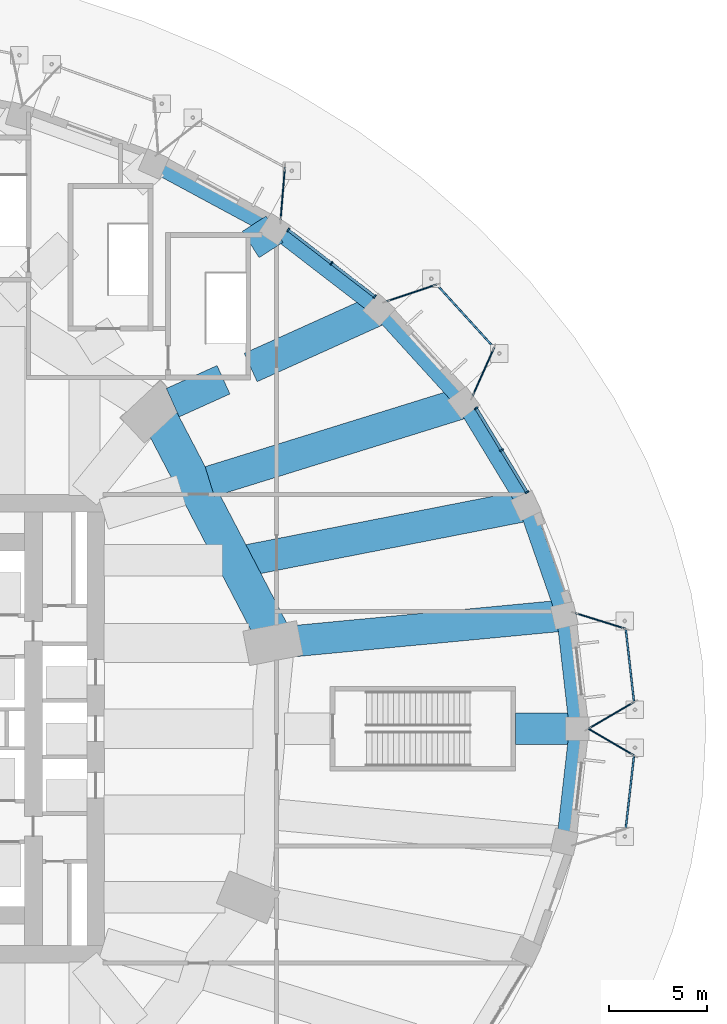
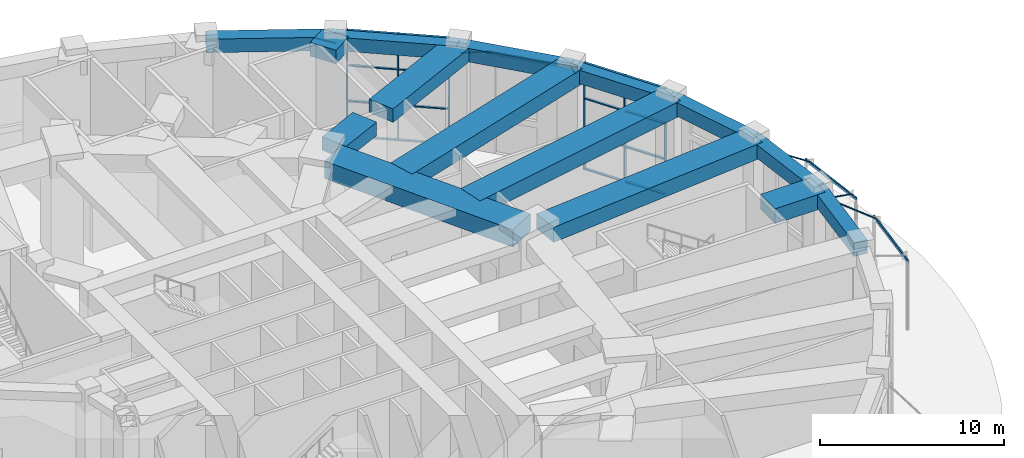
# One storey, part 29 of 60: 28 members, 18 beams, 2 elements without a shape of their own.
"""IFC4 building model written with IfcOpenShell, lengths in metres."""

from ifc_helpers import new_model, si_unit, direction, frame, origin, origin_2d, place, context, subcontext, project, spatial, rectangle, hollow_rectangle, hollow_circle, extrude, material, material_profile, profile_set, type_object, element, aggregate, save


model = new_model("IFC4")

# Units and contexts
model_context = context("Model", 3, precision=1e-05, world=origin(), true_north=direction((0.0, 1.0)))
body_context = subcontext(model_context, "Body", "Model", "MODEL_VIEW")
ifc_project = project(units=[si_unit("LENGTHUNIT", "METRE"), si_unit("AREAUNIT", "SQUARE_METRE"), si_unit("VOLUMEUNIT", "CUBIC_METRE"), si_unit("PLANEANGLEUNIT", "RADIAN"), si_unit("MASSUNIT", "GRAM", prefix="KILO")], contexts=[model_context])

# Site, building, storey
site_placement = place(None, origin())
site = spatial("IfcSite", under=ifc_project, at=site_placement, CompositionType="ELEMENT")
building_placement = place(site_placement, origin())
building = spatial("IfcBuilding", under=site, at=building_placement, Name="Taillehof Tower", CompositionType="ELEMENT")
storey_placement = place(building_placement, origin())
storey = spatial("IfcBuildingStorey", under=building, at=storey_placement, Name="L00", CompositionType="ELEMENT", Elevation=0.0)

# Beams
ifc_material_1 = material(Name="Steel S460M", Category="steel")
ifc_material_profile_1 = material_profile(ifc_material_1, hollow_rectangle(XDim=0.10009765625, YDim=0.199951171875, WallThickness=0.008056640625, InnerFilletRadius=0.008056640625, OuterFilletRadius=0.011962890625, at=origin_2d()), Name="RHS 200x100x8")
ifc_profile_set_1 = profile_set([ifc_material_profile_1], Name="Steel S460M")
beam_type_1 = type_object("IfcBeamType", Name="Canopy edge beam RHS 200x100x8", PredefinedType="BEAM", material=ifc_profile_set_1)
beam_1_placement = place(storey_placement, frame((46.35888671875, 0.94921875, 4.550048828125), z_axis=(-0.112908502001, 0.993605389567, 0.0), x_axis=(-0.993605389567, -0.112908502001, 0.0)))
element("IfcBeam", 1, at=beam_1_placement, inside=storey, type_object=beam_type_1, Name="Canopy edge beam E18", PredefinedType="BEAM", context=body_context, shape_type="SweptSolid", body=[
    extrude(hollow_rectangle(XDim=0.10009765625, YDim=0.199951171875, WallThickness=0.008056640625, InnerFilletRadius=0.008056640625, OuterFilletRadius=0.011962890625, at=origin_2d()), origin(), (0.0, 0.0, 1.0), 4.61865234375),
])
beam_2_placement = place(storey_placement, frame((39.427001953125, 19.205810546875, 4.550048828125), z_axis=(-0.672947641547, 0.739690118723, 0.0), x_axis=(-0.739690118723, -0.672947641547, 0.0)))
element("IfcBeam", 2, at=beam_2_placement, inside=storey, type_object=beam_type_1, Name="Canopy edge beam E14", PredefinedType="BEAM", context=body_context, shape_type="SweptSolid", body=[
    extrude(hollow_rectangle(XDim=0.10009765625, YDim=0.199951171875, WallThickness=0.008056640625, InnerFilletRadius=0.008056640625, OuterFilletRadius=0.011962890625, at=origin_2d()), origin(), (0.0, 0.0, 1.0), 5.21630859375),
])
beam_3_placement = place(storey_placement, frame((45.83740234375, -5.538330078125, 4.550048828125), z_axis=(0.112908502001, 0.993605389567, 0.0), x_axis=(-0.993605389567, 0.112908502001, 0.0)))
element("IfcBeam", 3, at=beam_3_placement, inside=storey, type_object=beam_type_1, Name="Canopy edge beam E19", PredefinedType="BEAM", context=body_context, shape_type="SweptSolid", body=[
    extrude(hollow_rectangle(XDim=0.10009765625, YDim=0.199951171875, WallThickness=0.008056640625, InnerFilletRadius=0.008056640625, OuterFilletRadius=0.011962890625, at=origin_2d()), origin(), (0.0, 0.0, 1.0), 4.61865234375),
])

# Members
ifc_material_2 = material(Name="Steel S460M", Category="steel")
ifc_material_profile_2 = material_profile(ifc_material_2, hollow_circle(Radius=0.04443359375, WallThickness=0.0048828125, at=origin_2d()), Name="CHS 89x5")
ifc_profile_set_2 = profile_set([ifc_material_profile_2], Name="Steel S460M")
member_type_1 = type_object("IfcMemberType", Name="Canopy tie CHS 89x5", PredefinedType="BRACE", material=ifc_profile_set_2)
member_1_placement = place(storey_placement, frame((46.3115234375, 1.366455078125, 4.639892578125), z_axis=(-0.771988716242, -0.450507855782, 0.448415091042), x_axis=(0.50402219353, -0.863690701831, 0.0)))
element("IfcMember", 4, at=member_1_placement, inside=storey, type_object=member_type_1, Name="Canopy tie E18", PredefinedType="BRACE", context=body_context, shape_type="SweptSolid", body=[
    extrude(hollow_circle(Radius=0.04443359375, WallThickness=0.0048828125, at=origin_2d()), origin(), (0.0, 0.0, 1.0), 3.033203125),
])
member_2_placement = place(storey_placement, frame((45.884765625, 5.12109375, 4.639892578125), z_axis=(-0.853423917099, 0.265638457501, 0.448446014163), x_axis=(-0.297197929532, -0.954815893606, 0.0)))
element("IfcMember", 5, at=member_2_placement, inside=storey, type_object=member_type_1, Name="Canopy tie E18", PredefinedType="BRACE", context=body_context, shape_type="SweptSolid", body=[
    extrude(hollow_circle(Radius=0.04443359375, WallThickness=0.0048828125, at=origin_2d()), origin(), (0.0, 0.0, 1.0), 3.032958984375),
])
member_3_placement = place(storey_placement, frame((39.144287109375, 19.516357421875, 4.639892578125), z_axis=(-0.363592680004, -0.816412533751, 0.448632296856), x_axis=(0.913502878327, -0.406832264317, 0.0)))
element("IfcMember", 6, at=member_3_placement, inside=storey, type_object=member_type_1, Name="Canopy tie E14", PredefinedType="BRACE", context=body_context, shape_type="SweptSolid", body=[
    extrude(hollow_circle(Radius=0.04443359375, WallThickness=0.0048828125, at=origin_2d()), origin(), (0.0, 0.0, 1.0), 3.03173828125),
])
member_4_placement = place(storey_placement, frame((36.19921875, 22.75341796875, 4.639892578125), z_axis=(-0.846853629113, -0.285399258817, 0.448760731265), x_axis=(0.319362878484, -0.947632498306, 0.0)))
element("IfcMember", 7, at=member_4_placement, inside=storey, type_object=member_type_1, Name="Canopy tie E14", PredefinedType="BRACE", context=body_context, shape_type="SweptSolid", body=[
    extrude(hollow_circle(Radius=0.04443359375, WallThickness=0.0048828125, at=origin_2d()), origin(), (0.0, 0.0, 1.0), 3.03076171875),
])
member_5_placement = place(storey_placement, frame((28.42822265625, 28.76318359375, 4.639892578125), z_axis=(-0.072990996782, -0.890635175961, 0.448822122594), x_axis=(0.996658604155, -0.081680026718, 0.0)))
element("IfcMember", 8, at=member_5_placement, inside=storey, type_object=member_type_1, Name="Canopy tie E9", PredefinedType="BRACE", context=body_context, shape_type="SweptSolid", body=[
    extrude(hollow_circle(Radius=0.04443359375, WallThickness=0.0048828125, at=origin_2d()), origin(), (0.0, 0.0, 1.0), 3.0302734375),
])
member_6_placement = place(storey_placement, frame((46.3115234375, -1.366455078125, 4.639892578125), z_axis=(-0.771988716242, 0.450507855782, 0.448415091042), x_axis=(-0.50402219353, -0.863690701831, 0.0)))
element("IfcMember", 9, at=member_6_placement, inside=storey, type_object=member_type_1, Name="Canopy tie E19", PredefinedType="BRACE", context=body_context, shape_type="SweptSolid", body=[
    extrude(hollow_circle(Radius=0.04443359375, WallThickness=0.0048828125, at=origin_2d()), origin(), (0.0, 0.0, 1.0), 3.033203125),
])

# Beams
ifc_material_3 = material(Name="Concrete C50/60", Category="concrete")
ifc_material_profile_3 = material_profile(ifc_material_3, rectangle(XDim=0.800048828125, YDim=0.89990234375, at=origin_2d()), Name="RC 800x900")
ifc_profile_set_3 = profile_set([ifc_material_profile_3], Name="Concrete C50/60")
beam_type_2 = type_object("IfcBeamType", Name="Podium edge beam C50/60 800x900", PredefinedType="BEAM", material=ifc_profile_set_3)
beam_4_placement = place(storey_placement, frame((43.39990234375, 0.0, 6.639892578125), z_axis=(-0.112928457179, 0.993603121754, 0.0), x_axis=(-0.993603121754, -0.112928457179, 0.0)))
element("IfcBeam", 10, at=beam_4_placement, inside=storey, type_object=beam_type_2, Name="Podium edge beam PB01", PredefinedType="BEAM", context=body_context, shape_type="SweptSolid", body=[
    extrude(rectangle(XDim=0.800048828125, YDim=0.89990234375, at=origin_2d()), origin(), (0.0, 0.0, 1.0), 5.837158203125),
])
beam_5_placement = place(storey_placement, frame((42.74072265625, 5.7998046875, 6.639892578125), z_axis=(-0.328806837859, 0.94439719577, 0.0), x_axis=(-0.94439719577, -0.328806837859, 0.0)))
element("IfcBeam", 11, at=beam_5_placement, inside=storey, type_object=beam_type_2, Name="Podium edge beam PB02", PredefinedType="BEAM", context=body_context, shape_type="SweptSolid", body=[
    extrude(rectangle(XDim=0.800048828125, YDim=0.89990234375, at=origin_2d()), origin(), (0.0, 0.0, 1.0), 5.954833984375),
])
beam_6_placement = place(storey_placement, frame((40.78271484375, 11.423583984375, 6.639892578125), z_axis=(-0.518238569123, 0.855236099258, 0.0), x_axis=(-0.855236099258, -0.518238569123, 0.0)))
element("IfcBeam", 12, at=beam_6_placement, inside=storey, type_object=beam_type_2, Name="Podium edge beam PB03", PredefinedType="BEAM", context=body_context, shape_type="SweptSolid", body=[
    extrude(rectangle(XDim=0.800048828125, YDim=0.89990234375, at=origin_2d()), origin(), (0.0, 0.0, 1.0), 6.16943359375),
])
beam_7_placement = place(storey_placement, frame((37.58544921875, 16.699951171875, 6.639892578125), z_axis=(-0.67297994181, 0.739660731634, 0.0), x_axis=(-0.739660731634, -0.67297994181, 0.0)))
element("IfcBeam", 13, at=beam_7_placement, inside=storey, type_object=beam_type_2, Name="Podium edge beam PB04", PredefinedType="BEAM", context=body_context, shape_type="SweptSolid", body=[
    extrude(rectangle(XDim=0.800048828125, YDim=0.89990234375, at=origin_2d()), origin(), (0.0, 0.0, 1.0), 6.447509765625),
])
beam_8_placement = place(storey_placement, frame((33.246337890625, 21.468994140625, 6.639892578125), z_axis=(-0.79247741179, 0.609901263978, 0.0), x_axis=(-0.609901263978, -0.79247741179, 0.0)))
element("IfcBeam", 14, at=beam_8_placement, inside=storey, type_object=beam_type_2, Name="Podium edge beam PB05", PredefinedType="BEAM", context=body_context, shape_type="SweptSolid", body=[
    extrude(rectangle(XDim=0.800048828125, YDim=0.89990234375, at=origin_2d()), origin(), (0.0, 0.0, 1.0), 6.750244140625),
])
beam_9_placement = place(storey_placement, frame((27.89697265625, 25.5859375, 6.639892578125), z_axis=(-0.880322944269, 0.474374866317, 0.0), x_axis=(-0.474374866317, -0.880322944269, 0.0)))
element("IfcBeam", 15, at=beam_9_placement, inside=storey, type_object=beam_type_2, Name="Podium edge beam PB06", PredefinedType="BEAM", context=body_context, shape_type="SweptSolid", body=[
    extrude(rectangle(XDim=0.800048828125, YDim=0.89990234375, at=origin_2d()), origin(), (0.0, 0.0, 1.0), 7.03955078125),
])
beam_10_placement = place(storey_placement, frame((42.74072265625, -5.7998046875, 6.639892578125), z_axis=(0.112928457179, 0.993603121754, 0.0), x_axis=(-0.993603121754, 0.112928457179, 0.0)))
element("IfcBeam", 16, at=beam_10_placement, inside=storey, type_object=beam_type_2, Name="Podium edge beam PB36", PredefinedType="BEAM", context=body_context, shape_type="SweptSolid", body=[
    extrude(rectangle(XDim=0.800048828125, YDim=0.89990234375, at=origin_2d()), origin(), (0.0, 0.0, 1.0), 5.837158203125),
])
ifc_material_4 = material(Name="Concrete C50/60", Category="concrete")
ifc_material_profile_4 = material_profile(ifc_material_4, rectangle(XDim=1.60009765625, YDim=1.0, at=origin_2d()), Name="RC 1600x1000")
ifc_profile_set_4 = profile_set([ifc_material_profile_4], Name="Concrete C50/60")
beam_type_3 = type_object("IfcBeamType", Name="Podium radial beam C50/60 1600x1000", PredefinedType="BEAM", material=ifc_profile_set_4)
beam_11_placement = place(storey_placement, frame((43.39990234375, 0.0, 6.590087890625), z_axis=(-1.0, 0.0, 0.0), x_axis=(0.0, -1.0, 0.0)))
element("IfcBeam", 17, at=beam_11_placement, inside=storey, type_object=beam_type_3, Name="Podium radial beam PR01", PredefinedType="BEAM", context=body_context, shape_type="SweptSolid", body=[
    extrude(rectangle(XDim=1.60009765625, YDim=1.0, at=origin_2d()), origin(), (0.0, 0.0, 1.0), 3.14990234375),
])
beam_12_placement = place(storey_placement, frame((42.74072265625, 5.7998046875, 6.590087890625), z_axis=(-0.995530936101, -0.094435985011, 0.0), x_axis=(0.094435985011, -0.995530936101, 0.0)))
element("IfcBeam", 18, at=beam_12_placement, inside=storey, type_object=beam_type_3, Name="Podium radial beam PR02", PredefinedType="BEAM", context=body_context, shape_type="SweptSolid", body=[
    extrude(rectangle(XDim=1.60009765625, YDim=1.0, at=origin_2d()), origin(), (0.0, 0.0, 1.0), 13.9267578125),
])
beam_13_placement = place(storey_placement, frame((40.78271484375, 11.423583984375, 6.590087890625), z_axis=(-0.981363685946, -0.192159610496, 0.0), x_axis=(0.192159610496, -0.981363685946, 0.0)))
element("IfcBeam", 19, at=beam_13_placement, inside=storey, type_object=beam_type_3, Name="Podium radial beam PR03", PredefinedType="BEAM", context=body_context, shape_type="SweptSolid", body=[
    extrude(rectangle(XDim=1.60009765625, YDim=1.0, at=origin_2d()), origin(), (0.0, 0.0, 1.0), 14.47119140625),
])
beam_14_placement = place(storey_placement, frame((37.58544921875, 16.699951171875, 6.590087890625), z_axis=(-0.954999719984, -0.296606700583, 0.0), x_axis=(0.296606700583, -0.954999719984, 0.0)))
element("IfcBeam", 20, at=beam_14_placement, inside=storey, type_object=beam_type_3, Name="Podium radial beam PR04", PredefinedType="BEAM", context=body_context, shape_type="SweptSolid", body=[
    extrude(rectangle(XDim=1.60009765625, YDim=1.0, at=origin_2d()), origin(), (0.0, 0.0, 1.0), 13.619140625),
])
ifc_material_5 = material(Name="Concrete C50/60", Category="concrete")
ifc_material_profile_5 = material_profile(ifc_material_5, rectangle(XDim=1.60009765625, YDim=0.89990234375, at=origin_2d()), Name="RC 1600x900")
ifc_profile_set_5 = profile_set([ifc_material_profile_5], Name="Concrete C50/60")
beam_type_4 = type_object("IfcBeamType", Name="Podium radial beam C50/60 1600x900", PredefinedType="BEAM", material=ifc_profile_set_5)
beam_15_placement = place(storey_placement, frame((33.246337890625, 21.468994140625, 6.639892578125), z_axis=(-0.911454579473, -0.411400716526, 0.0), x_axis=(0.411400716526, -0.911454579473, 0.0)))
element("IfcBeam", 21, at=beam_15_placement, inside=storey, type_object=beam_type_4, Name="Podium radial beam PR05", PredefinedType="BEAM", context=body_context, shape_type="SweptSolid", body=[
    extrude(rectangle(XDim=1.60009765625, YDim=0.89990234375, at=origin_2d()), origin(), (0.0, 0.0, 1.0), 7.209716796875),
])
beam_16_placement = place(storey_placement, frame((25.2841796875, 17.875, 6.639892578125), z_axis=(-0.911456532407, -0.411396389791, 0.0), x_axis=(0.411396389791, -0.911456532407, 0.0)))
element("IfcBeam", 22, at=beam_16_placement, inside=storey, type_object=beam_type_4, Name="Podium radial beam PR05", PredefinedType="BEAM", context=body_context, shape_type="SweptSolid", body=[
    extrude(rectangle(XDim=1.60009765625, YDim=0.89990234375, at=origin_2d()), origin(), (0.0, 0.0, 1.0), 2.852783203125),
])
beam_17_placement = place(storey_placement, frame((27.89697265625, 25.5859375, 6.639892578125), z_axis=(-0.841828190042, -0.539745586782, 0.0), x_axis=(0.539745586782, -0.841828190042, 0.0)))
element("IfcBeam", 23, at=beam_17_placement, inside=storey, type_object=beam_type_4, Name="Podium radial beam PR06", PredefinedType="BEAM", context=body_context, shape_type="SweptSolid", body=[
    extrude(rectangle(XDim=1.60009765625, YDim=0.89990234375, at=origin_2d()), origin(), (0.0, 0.0, 1.0), 1.451416015625),
])
ifc_material_6 = material(Name="Concrete C50/60", Category="concrete")
ifc_material_profile_6 = material_profile(ifc_material_6, rectangle(XDim=1.800048828125, YDim=1.14990234375, at=origin_2d()), Name="RC 1800x1150")
ifc_profile_set_6 = profile_set([ifc_material_profile_6], Name="Concrete C50/60")
beam_type_5 = type_object("IfcBeamType", Name="Ring floor beam C50/60 1800x1150", PredefinedType="BEAM", material=ifc_profile_set_6)
beam_18_placement = place(storey_placement, frame((27.716552734375, 5.01708984375, 6.514892578125), z_axis=(-0.462558439378, 0.88658879429, 0.0), x_axis=(-0.88658879429, -0.462558439378, 0.0)))
element("IfcBeam", 24, at=beam_18_placement, inside=storey, type_object=beam_type_5, Name="Ring floor beam RG01", PredefinedType="BEAM", context=body_context, shape_type="SweptSolid", body=[
    extrude(rectangle(XDim=1.800048828125, YDim=1.14990234375, at=origin_2d()), origin(), (0.0, 0.0, 1.0), 12.12841796875),
])

# Curtain wall, members
ifc_material_7 = material(Name="Aluminium curtain wall with Clear laminated safety glass", Category="aluminium")
curtain_wall_type = type_object("IfcCurtainWallType", Name="Station storefront curtain wall", PredefinedType="USERDEFINED", material=ifc_material_7)
curtain_wall_1_placement = place(storey_placement, origin())
curtain_wall_1 = element("IfcCurtainWall", 25, at=curtain_wall_1_placement, inside=storey, type_object=curtain_wall_type, Name="Station storefront L00 bay 3", ObjectType="STOREFRONT", PredefinedType="USERDEFINED")
ifc_material_8 = material(Name="Aluminium mullion", Category="aluminium")
ifc_material_profile_7 = material_profile(ifc_material_8, rectangle(XDim=0.199951171875, YDim=0.080078125, at=origin_2d()), Name="AL 80x200")
ifc_profile_set_7 = profile_set([ifc_material_profile_7], Name="Aluminium mullion")
member_type_2 = type_object("IfcMemberType", Name="Station storefront mullion 80x200", PredefinedType="MULLION", material=ifc_profile_set_7)
member_7_placement = place(storey_placement, frame((40.82568359375, 12.117919921875, 0.0), z_axis=(0.0, 0.0, 1.0), x_axis=(-0.855288863309, -0.518151483931, 0.0)))
member_7 = element("IfcMember", 26, at=member_7_placement, type_object=member_type_2, Name="CT103 mullion 1", PredefinedType="MULLION", context=body_context, shape_type="SweptSolid", body=[
    extrude(rectangle(XDim=0.199951171875, YDim=0.080078125, at=origin_2d()), origin(), (0.0, 0.0, 1.0), 7.090087890625),
])
member_8_placement = place(storey_placement, frame((39.524169921875, 14.266357421875, 0.0), z_axis=(0.0, 0.0, 1.0), x_axis=(-0.855288863309, -0.518151483931, 0.0)))
member_8 = element("IfcMember", 27, at=member_8_placement, type_object=member_type_2, Name="CT103 mullion 2", PredefinedType="MULLION", context=body_context, shape_type="SweptSolid", body=[
    extrude(rectangle(XDim=0.199951171875, YDim=0.080078125, at=origin_2d()), origin(), (0.0, 0.0, 1.0), 7.090087890625),
])
member_9_placement = place(storey_placement, frame((38.22265625, 16.414794921875, 0.0), z_axis=(0.0, 0.0, 1.0), x_axis=(-0.855288863309, -0.518151483931, 0.0)))
member_9 = element("IfcMember", 28, at=member_9_placement, type_object=member_type_2, Name="CT103 mullion 3", PredefinedType="MULLION", context=body_context, shape_type="SweptSolid", body=[
    extrude(rectangle(XDim=0.199951171875, YDim=0.080078125, at=origin_2d()), origin(), (0.0, 0.0, 1.0), 7.090087890625),
])

curtain_wall_2_placement = place(storey_placement, origin())
curtain_wall_2 = element("IfcCurtainWall", 29, at=curtain_wall_2_placement, inside=storey, type_object=curtain_wall_type, Name="Station storefront L00 bay 5", ObjectType="STOREFRONT", PredefinedType="USERDEFINED")
member_10_placement = place(storey_placement, frame((33.031494140625, 22.13623046875, 0.0), z_axis=(0.0, 0.0, 1.0), x_axis=(-0.60993206075, -0.792453709228, 0.0)))
member_10 = element("IfcMember", 30, at=member_10_placement, type_object=member_type_2, Name="CT105 mullion 1", PredefinedType="MULLION", context=body_context, shape_type="SweptSolid", body=[
    extrude(rectangle(XDim=0.199951171875, YDim=0.080078125, at=origin_2d()), origin(), (0.0, 0.0, 1.0), 7.090087890625),
])
member_11_placement = place(storey_placement, frame((30.8154296875, 23.842041015625, 0.0), z_axis=(0.0, 0.0, 1.0), x_axis=(-0.60993206075, -0.792453709228, 0.0)))
member_11 = element("IfcMember", 31, at=member_11_placement, type_object=member_type_2, Name="CT105 mullion 2", PredefinedType="MULLION", context=body_context, shape_type="SweptSolid", body=[
    extrude(rectangle(XDim=0.199951171875, YDim=0.080078125, at=origin_2d()), origin(), (0.0, 0.0, 1.0), 7.090087890625),
])
member_12_placement = place(storey_placement, frame((28.59912109375, 25.547607421875, 0.0), z_axis=(0.0, 0.0, 1.0), x_axis=(-0.60993206075, -0.792453709228, 0.0)))
member_12 = element("IfcMember", 32, at=member_12_placement, type_object=member_type_2, Name="CT105 mullion 3", PredefinedType="MULLION", context=body_context, shape_type="SweptSolid", body=[
    extrude(rectangle(XDim=0.199951171875, YDim=0.080078125, at=origin_2d()), origin(), (0.0, 0.0, 1.0), 7.090087890625),
])

# Member
ifc_material_9 = material(Name="Aluminium transom", Category="aluminium")
ifc_material_profile_8 = material_profile(ifc_material_9, rectangle(XDim=0.14990234375, YDim=0.080078125, at=origin_2d()), Name="AL 150x80")
ifc_profile_set_8 = profile_set([ifc_material_profile_8], Name="Aluminium transom")
member_type_3 = type_object("IfcMemberType", Name="Station storefront transom 150x80", PredefinedType="USERDEFINED", material=ifc_profile_set_8)
member_13_placement = place(storey_placement, frame((40.804931640625, 12.152099609375, 0.0400390625), z_axis=(-0.518108138611, 0.855315121288, 0.0), x_axis=(-0.855315121288, -0.518108138611, 0.0)))
member_13 = element("IfcMember", 33, at=member_13_placement, type_object=member_type_3, Name="CT103 transom 1.1", ObjectType="TRANSOM", PredefinedType="USERDEFINED", context=body_context, shape_type="SweptSolid", body=[
    extrude(rectangle(XDim=0.14990234375, YDim=0.080078125, at=origin_2d()), origin(), (0.0, 0.0, 1.0), 2.431884765625),
])

member_14_placement = place(storey_placement, frame((40.804931640625, 12.152099609375, 2.36328125), z_axis=(-0.518108138611, 0.855315121288, 0.0), x_axis=(-0.855315121288, -0.518108138611, 0.0)))
member_14 = element("IfcMember", 34, at=member_14_placement, type_object=member_type_3, Name="CT103 transom 1.2", ObjectType="TRANSOM", PredefinedType="USERDEFINED", context=body_context, shape_type="SweptSolid", body=[
    extrude(rectangle(XDim=0.14990234375, YDim=0.080078125, at=origin_2d()), origin(), (0.0, 0.0, 1.0), 2.431884765625),
])

member_15_placement = place(storey_placement, frame((40.804931640625, 12.152099609375, 4.726806640625), z_axis=(-0.518108138611, 0.855315121288, 0.0), x_axis=(-0.855315121288, -0.518108138611, 0.0)))
member_15 = element("IfcMember", 35, at=member_15_placement, type_object=member_type_3, Name="CT103 transom 1.3", ObjectType="TRANSOM", PredefinedType="USERDEFINED", context=body_context, shape_type="SweptSolid", body=[
    extrude(rectangle(XDim=0.14990234375, YDim=0.080078125, at=origin_2d()), origin(), (0.0, 0.0, 1.0), 2.431884765625),
])

member_16_placement = place(storey_placement, frame((40.804931640625, 12.152099609375, 7.050048828125), z_axis=(-0.518108138611, 0.855315121288, 0.0), x_axis=(-0.855315121288, -0.518108138611, 0.0)))
member_16 = element("IfcMember", 36, at=member_16_placement, type_object=member_type_3, Name="CT103 transom 1.4", ObjectType="TRANSOM", PredefinedType="USERDEFINED", context=body_context, shape_type="SweptSolid", body=[
    extrude(rectangle(XDim=0.14990234375, YDim=0.080078125, at=origin_2d()), origin(), (0.0, 0.0, 1.0), 2.431884765625),
])

member_17_placement = place(storey_placement, frame((39.50341796875, 14.300537109375, 0.0400390625), z_axis=(-0.518152628731, 0.855288169765, 0.0), x_axis=(-0.855288169765, -0.518152628731, 0.0)))
member_17 = element("IfcMember", 37, at=member_17_placement, type_object=member_type_3, Name="CT103 transom 2.1", ObjectType="TRANSOM", PredefinedType="USERDEFINED", context=body_context, shape_type="SweptSolid", body=[
    extrude(rectangle(XDim=0.14990234375, YDim=0.080078125, at=origin_2d()), origin(), (0.0, 0.0, 1.0), 2.431640625),
])

member_18_placement = place(storey_placement, frame((39.50341796875, 14.300537109375, 2.36328125), z_axis=(-0.518152628731, 0.855288169765, 0.0), x_axis=(-0.855288169765, -0.518152628731, 0.0)))
member_18 = element("IfcMember", 38, at=member_18_placement, type_object=member_type_3, Name="CT103 transom 2.2", ObjectType="TRANSOM", PredefinedType="USERDEFINED", context=body_context, shape_type="SweptSolid", body=[
    extrude(rectangle(XDim=0.14990234375, YDim=0.080078125, at=origin_2d()), origin(), (0.0, 0.0, 1.0), 2.431640625),
])

member_19_placement = place(storey_placement, frame((39.50341796875, 14.300537109375, 4.726806640625), z_axis=(-0.518152628731, 0.855288169765, 0.0), x_axis=(-0.855288169765, -0.518152628731, 0.0)))
member_19 = element("IfcMember", 39, at=member_19_placement, type_object=member_type_3, Name="CT103 transom 2.3", ObjectType="TRANSOM", PredefinedType="USERDEFINED", context=body_context, shape_type="SweptSolid", body=[
    extrude(rectangle(XDim=0.14990234375, YDim=0.080078125, at=origin_2d()), origin(), (0.0, 0.0, 1.0), 2.431640625),
])

member_20_placement = place(storey_placement, frame((39.50341796875, 14.300537109375, 7.050048828125), z_axis=(-0.518152628731, 0.855288169765, 0.0), x_axis=(-0.855288169765, -0.518152628731, 0.0)))
member_20 = element("IfcMember", 40, at=member_20_placement, type_object=member_type_3, Name="CT103 transom 2.4", ObjectType="TRANSOM", PredefinedType="USERDEFINED", context=body_context, shape_type="SweptSolid", body=[
    extrude(rectangle(XDim=0.14990234375, YDim=0.080078125, at=origin_2d()), origin(), (0.0, 0.0, 1.0), 2.431640625),
])

aggregate(curtain_wall_1, [member_7, member_8, member_9, member_13, member_14, member_15, member_16, member_17, member_18, member_19, member_20])

member_21_placement = place(storey_placement, frame((32.999755859375, 22.16064453125, 0.0400390625), z_axis=(-0.792420141051, 0.609975671693, 0.0), x_axis=(-0.609975671693, -0.792420141051, 0.0)))
member_21 = element("IfcMember", 41, at=member_21_placement, type_object=member_type_3, Name="CT105 transom 1.1", ObjectType="TRANSOM", PredefinedType="USERDEFINED", context=body_context, shape_type="SweptSolid", body=[
    extrude(rectangle(XDim=0.14990234375, YDim=0.080078125, at=origin_2d()), origin(), (0.0, 0.0, 1.0), 2.716552734375),
])

member_22_placement = place(storey_placement, frame((32.999755859375, 22.16064453125, 2.36328125), z_axis=(-0.792420141051, 0.609975671693, 0.0), x_axis=(-0.609975671693, -0.792420141051, 0.0)))
member_22 = element("IfcMember", 42, at=member_22_placement, type_object=member_type_3, Name="CT105 transom 1.2", ObjectType="TRANSOM", PredefinedType="USERDEFINED", context=body_context, shape_type="SweptSolid", body=[
    extrude(rectangle(XDim=0.14990234375, YDim=0.080078125, at=origin_2d()), origin(), (0.0, 0.0, 1.0), 2.716552734375),
])

member_23_placement = place(storey_placement, frame((32.999755859375, 22.16064453125, 4.726806640625), z_axis=(-0.792420141051, 0.609975671693, 0.0), x_axis=(-0.609975671693, -0.792420141051, 0.0)))
member_23 = element("IfcMember", 43, at=member_23_placement, type_object=member_type_3, Name="CT105 transom 1.3", ObjectType="TRANSOM", PredefinedType="USERDEFINED", context=body_context, shape_type="SweptSolid", body=[
    extrude(rectangle(XDim=0.14990234375, YDim=0.080078125, at=origin_2d()), origin(), (0.0, 0.0, 1.0), 2.716552734375),
])

member_24_placement = place(storey_placement, frame((32.999755859375, 22.16064453125, 7.050048828125), z_axis=(-0.792420141051, 0.609975671693, 0.0), x_axis=(-0.609975671693, -0.792420141051, 0.0)))
member_24 = element("IfcMember", 44, at=member_24_placement, type_object=member_type_3, Name="CT105 transom 1.4", ObjectType="TRANSOM", PredefinedType="USERDEFINED", context=body_context, shape_type="SweptSolid", body=[
    extrude(rectangle(XDim=0.14990234375, YDim=0.080078125, at=origin_2d()), origin(), (0.0, 0.0, 1.0), 2.716552734375),
])

member_25_placement = place(storey_placement, frame((30.78369140625, 23.866455078125, 0.0400390625), z_axis=(-0.792497014277, 0.60987579257, 0.0), x_axis=(-0.60987579257, -0.792497014277, 0.0)))
member_25 = element("IfcMember", 45, at=member_25_placement, type_object=member_type_3, Name="CT105 transom 2.1", ObjectType="TRANSOM", PredefinedType="USERDEFINED", context=body_context, shape_type="SweptSolid", body=[
    extrude(rectangle(XDim=0.14990234375, YDim=0.080078125, at=origin_2d()), origin(), (0.0, 0.0, 1.0), 2.716552734375),
])

member_26_placement = place(storey_placement, frame((30.78369140625, 23.866455078125, 2.36328125), z_axis=(-0.792497014277, 0.60987579257, 0.0), x_axis=(-0.60987579257, -0.792497014277, 0.0)))
member_26 = element("IfcMember", 46, at=member_26_placement, type_object=member_type_3, Name="CT105 transom 2.2", ObjectType="TRANSOM", PredefinedType="USERDEFINED", context=body_context, shape_type="SweptSolid", body=[
    extrude(rectangle(XDim=0.14990234375, YDim=0.080078125, at=origin_2d()), origin(), (0.0, 0.0, 1.0), 2.716552734375),
])

member_27_placement = place(storey_placement, frame((30.78369140625, 23.866455078125, 4.726806640625), z_axis=(-0.792497014277, 0.60987579257, 0.0), x_axis=(-0.60987579257, -0.792497014277, 0.0)))
member_27 = element("IfcMember", 47, at=member_27_placement, type_object=member_type_3, Name="CT105 transom 2.3", ObjectType="TRANSOM", PredefinedType="USERDEFINED", context=body_context, shape_type="SweptSolid", body=[
    extrude(rectangle(XDim=0.14990234375, YDim=0.080078125, at=origin_2d()), origin(), (0.0, 0.0, 1.0), 2.716552734375),
])

member_28_placement = place(storey_placement, frame((30.78369140625, 23.866455078125, 7.050048828125), z_axis=(-0.792497014277, 0.60987579257, 0.0), x_axis=(-0.60987579257, -0.792497014277, 0.0)))
member_28 = element("IfcMember", 48, at=member_28_placement, type_object=member_type_3, Name="CT105 transom 2.4", ObjectType="TRANSOM", PredefinedType="USERDEFINED", context=body_context, shape_type="SweptSolid", body=[
    extrude(rectangle(XDim=0.14990234375, YDim=0.080078125, at=origin_2d()), origin(), (0.0, 0.0, 1.0), 2.716552734375),
])

aggregate(curtain_wall_2, [member_10, member_11, member_12, member_21, member_22, member_23, member_24, member_25, member_26, member_27, member_28])

save(model, "model.ifc")
